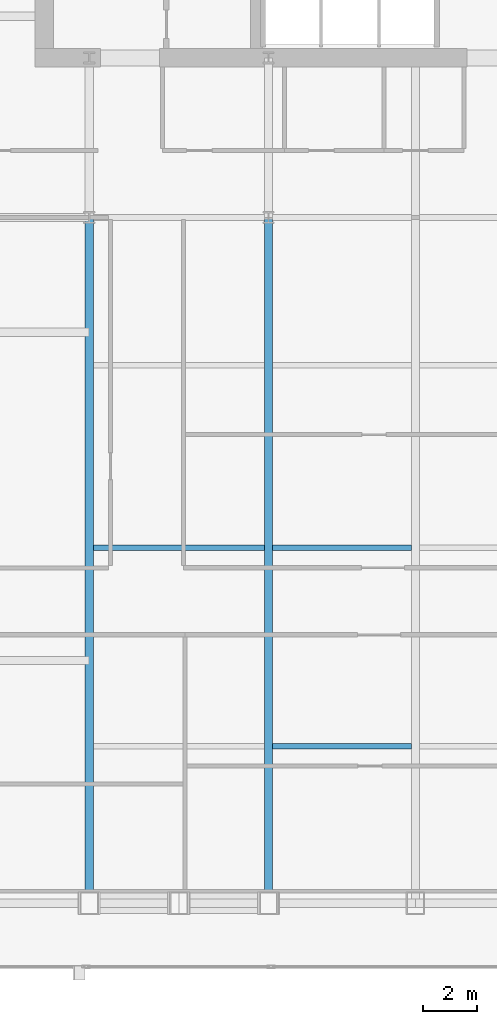
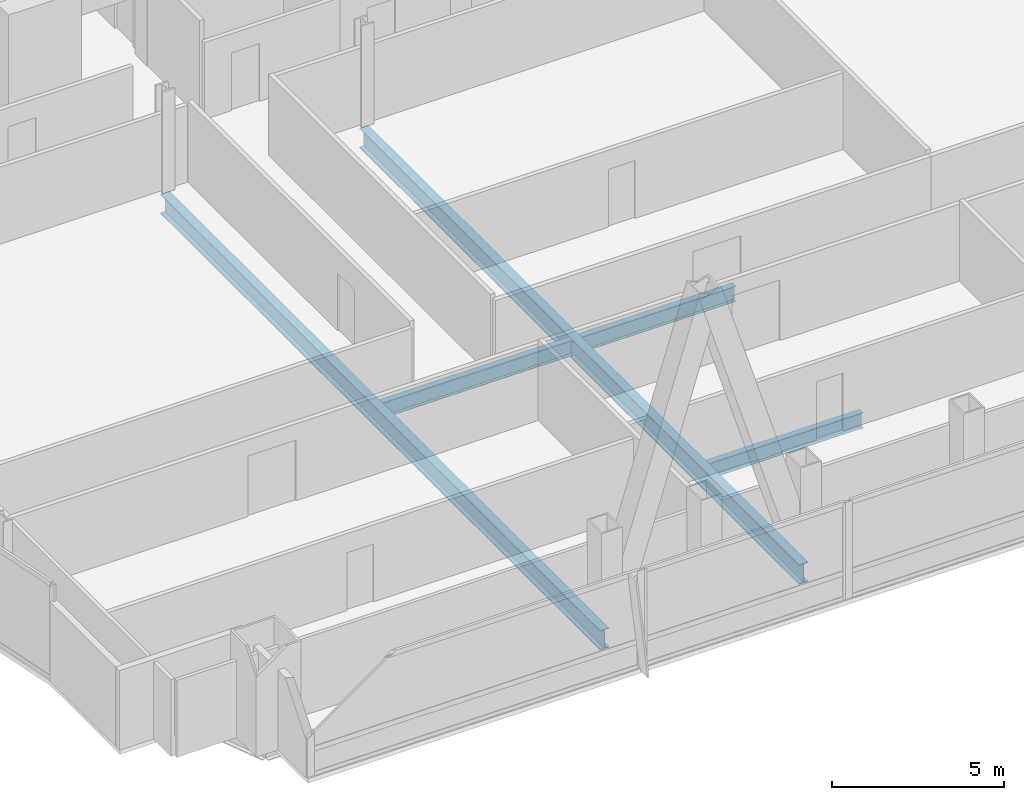
# One storey, part 9 of 33: 5 beams.
"""IFC4 building model written with IfcOpenShell, lengths in metres."""

from ifc_helpers import new_model, si_unit, direction, frame, origin, origin_2d, place, context, subcontext, project, spatial, i_section, extrude, material, material_profile, profile_set, type_object, element, save


model = new_model("IFC4")

# Units and contexts
model_context = context("Model", 3, precision=1e-05, world=origin(), true_north=direction((0.0, 1.0)))
body_context = subcontext(model_context, "Body", "Model", "MODEL_VIEW")
ifc_project = project(units=[si_unit("LENGTHUNIT", "METRE"), si_unit("AREAUNIT", "SQUARE_METRE"), si_unit("VOLUMEUNIT", "CUBIC_METRE"), si_unit("PLANEANGLEUNIT", "RADIAN"), si_unit("MASSUNIT", "GRAM", prefix="KILO")], contexts=[model_context])

# Site, building, storey
site_placement = place(None, origin())
site = spatial("IfcSite", under=ifc_project, at=site_placement, CompositionType="ELEMENT")
building_placement = place(site_placement, origin())
building = spatial("IfcBuilding", under=site, at=building_placement, Name="Khoronbel Lancet Exchange", CompositionType="ELEMENT")
storey_placement = place(building_placement, frame((0.0, 0.0, 118.199951171875)))
storey = spatial("IfcBuildingStorey", under=building, at=storey_placement, Name="L28", CompositionType="ELEMENT", Elevation=118.199951171875)

# Beams
ifc_material = material(Name="Steel S355", Category="steel")
ifc_material_profile_1 = material_profile(ifc_material, i_section(OverallWidth=0.300048828125, OverallDepth=0.699951171875, WebThickness=0.01708984375, FlangeThickness=0.031982421875, at=origin_2d()), Name="HEB 700")
ifc_profile_set_1 = profile_set([ifc_material_profile_1], Name="Steel S355")
beam_type_1 = type_object("IfcBeamType", Name="BM-BG3", PredefinedType="BEAM", material=ifc_profile_set_1)
for number, where, z_axis, x_axis, name in (
    (1, (18.22509765625, 10.14990234375, -0.510009765625), (0.0, 1.0, 0.0), (-1.0, 0.0, 0.0), "Level L28 south primary girder GS1"),
    (2, (24.89990234375, 10.14990234375, -0.510009765625), (0.0, 1.0, 0.0), (-1.0, 0.0, 0.0), "Level L28 south primary girder GS2"),
):
    element("IfcBeam", number, at=place(storey_placement, frame(where, z_axis=z_axis, x_axis=x_axis)), inside=storey, type_object=beam_type_1, Name=name, PredefinedType="BEAM", context=body_context, shape_type="SweptSolid", body=[
        extrude(i_section(OverallWidth=0.300048828125, OverallDepth=0.699951171875, WebThickness=0.01708984375, FlangeThickness=0.031982421875, at=origin_2d()), origin(), (0.0, 0.0, 1.0), 25.550048828125),
    ])
ifc_material_profile_2 = material_profile(ifc_material, i_section(OverallWidth=0.2099609375, OverallDepth=0.550048828125, WebThickness=0.010986328125, FlangeThickness=0.01708984375, at=origin_2d()), Name="IPE 550")
ifc_profile_set_2 = profile_set([ifc_material_profile_2], Name="Steel S355")
beam_type_2 = type_object("IfcBeamType", Name="BM-BJ2", PredefinedType="JOIST", material=ifc_profile_set_2)
beam_1_placement = place(storey_placement, frame((25.050048828125, 16.0, -0.43505859375), z_axis=(1.0, 0.0, 0.0), x_axis=(0.0, 1.0, 0.0)))
element("IfcBeam", 3, at=beam_1_placement, inside=storey, type_object=beam_type_2, Name="Level L28 secondary composite joist J02", PredefinedType="JOIST", context=body_context, shape_type="SweptSolid", body=[
    extrude(i_section(OverallWidth=0.2099609375, OverallDepth=0.550048828125, WebThickness=0.010986328125, FlangeThickness=0.01708984375, at=origin_2d()), origin(), (0.0, 0.0, 1.0), 5.175048828125),
])
beam_2_placement = place(storey_placement, frame((18.375, 23.39990234375, -0.43505859375), z_axis=(1.0, 0.0, 0.0), x_axis=(0.0, 1.0, 0.0)))
element("IfcBeam", 4, at=beam_2_placement, inside=storey, type_object=beam_type_2, Name="Level L28 secondary composite joist J06", PredefinedType="JOIST", context=body_context, shape_type="SweptSolid", body=[
    extrude(i_section(OverallWidth=0.2099609375, OverallDepth=0.550048828125, WebThickness=0.010986328125, FlangeThickness=0.01708984375, at=origin_2d()), origin(), (0.0, 0.0, 1.0), 6.375),
])
beam_3_placement = place(storey_placement, frame((25.050048828125, 23.39990234375, -0.43505859375), z_axis=(1.0, 0.0, 0.0), x_axis=(0.0, 1.0, 0.0)))
element("IfcBeam", 5, at=beam_3_placement, inside=storey, type_object=beam_type_2, Name="Level L28 secondary composite joist J07", PredefinedType="JOIST", context=body_context, shape_type="SweptSolid", body=[
    extrude(i_section(OverallWidth=0.2099609375, OverallDepth=0.550048828125, WebThickness=0.010986328125, FlangeThickness=0.01708984375, at=origin_2d()), origin(), (0.0, 0.0, 1.0), 5.175048828125),
])

save(model, "model.ifc")
